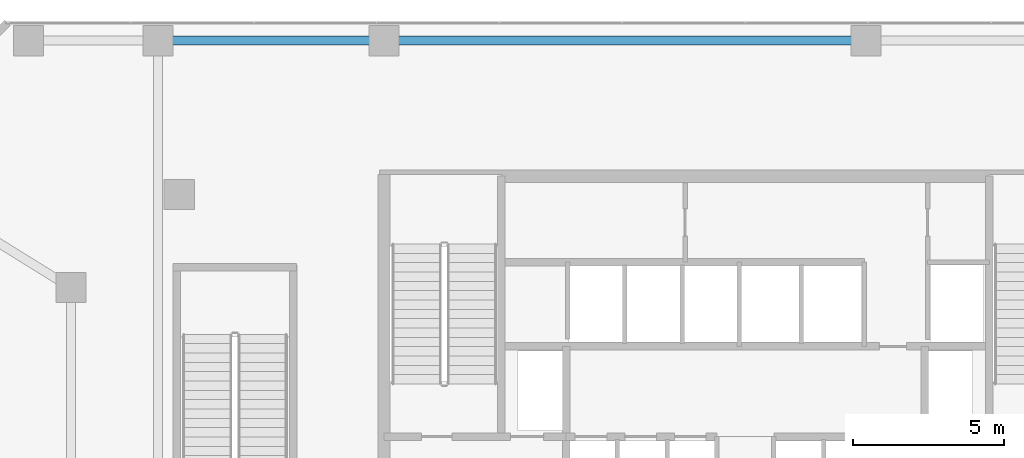
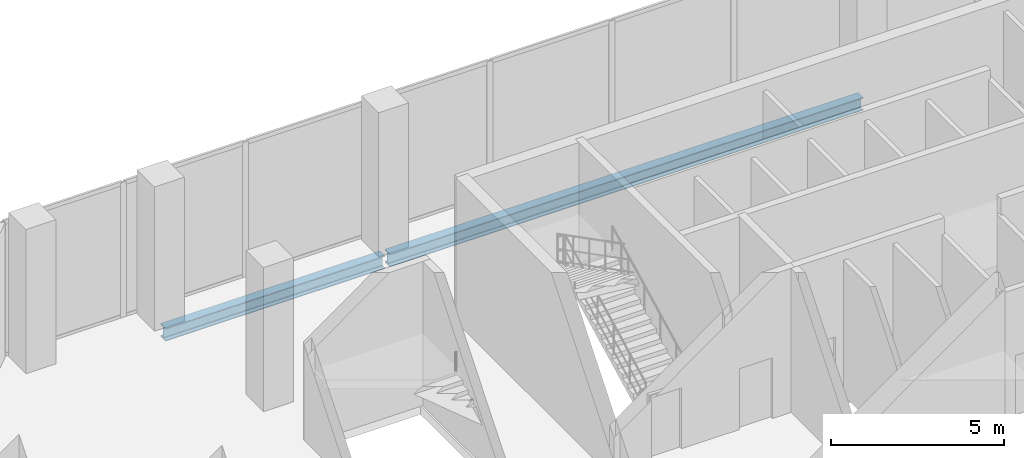
# One storey, part 13 of 24: 2 beams.
"""IFC4 building model written with IfcOpenShell, lengths in metres."""

import ifcopenshell
import ifcopenshell.guid

model = None  # the IFC model being written
_history = None  # IfcOwnerHistory: only IFC2X3 demands one
_inside = {}  # id of a spatial element -> (the spatial element, [elements in it])
_under = {}  # id of a project, library or spatial element -> (it, [spatial elements below it])
_declared = {}  # id of a project -> (the project, [libraries it declares])
_typed = {}  # id of a type object -> (the type object, [elements of that type])
_made_of = {}  # id of a material, layer set ... -> (it, [elements and type objects made of it])


def new_model(schema):
    """Start an empty IFC model of exactly this schema.

    Asked for "IFC4X3", IfcOpenShell would pick the latest addendum, in which some entities
    have other attributes; the version numbers below select the first issue.
    IFC2X3 requires an IfcOwnerHistory on every rooted entity: one is made here for all.
    """
    global model, _history
    if schema == "IFC4X3":
        model = ifcopenshell.file(schema_version=(4, 3, 0, 0))
    else:
        model = ifcopenshell.file(schema=schema)
    _inside.clear()
    _under.clear()
    _declared.clear()
    _typed.clear()
    _made_of.clear()
    _history = None
    if model.schema == "IFC2X3":
        org = make("IfcOrganization", Name="unknown")
        user = make(
            "IfcPersonAndOrganization",
            ThePerson=make("IfcPerson", FamilyName="unknown"),
            TheOrganization=org,
        )
        app = make(
            "IfcApplication",
            ApplicationDeveloper=org,
            Version="unknown",
            ApplicationFullName="unknown",
            ApplicationIdentifier="unknown",
        )
        _history = make(
            "IfcOwnerHistory",
            OwningUser=user,
            OwningApplication=app,
            ChangeAction="ADDED",
            CreationDate=0,
        )
    return model


def make(cls, **values):
    """One entity of the class cls with the attributes given. An attribute that is None is left unset."""
    return model.create_entity(
        cls, **{name: value for name, value in values.items() if value is not None}
    )


def rooted(cls, **values):
    """An entity with a GlobalId (a new one), such as an element, a storey or a relation."""
    return make(cls, GlobalId=ifcopenshell.guid.new(), OwnerHistory=_history, **values)


def si_unit(unit_type, name, prefix=None):
    """IfcSIUnit, for example si_unit("LENGTHUNIT", "METRE", prefix="MILLI")."""
    return make("IfcSIUnit", UnitType=unit_type, Prefix=prefix, Name=name)


def assignment(units):
    """IfcUnitAssignment: the units of a project."""
    return None if units is None else make("IfcUnitAssignment", Units=units)


def point(xyz):
    """IfcCartesianPoint."""
    return None if xyz is None else make("IfcCartesianPoint", Coordinates=xyz)


def direction(xyz):
    """IfcDirection."""
    return None if xyz is None else make("IfcDirection", DirectionRatios=xyz)


def frame(location, z_axis=None, x_axis=None):
    """IfcAxis2Placement3D, a coordinate frame: its origin and axes. An axis left out is left unset."""
    return make(
        "IfcAxis2Placement3D",
        Location=point(location),
        Axis=direction(z_axis),
        RefDirection=direction(x_axis),
    )


def frame_2d(location, x_axis=None):
    """IfcAxis2Placement2D, a coordinate frame in the plane: its origin and x axis."""
    return make(
        "IfcAxis2Placement2D", Location=point(location), RefDirection=direction(x_axis)
    )


def origin():
    """The frame at (0, 0, 0) with its axes left unset."""
    return frame((0.0, 0.0, 0.0))


def origin_2d():
    """The frame at (0, 0) in the plane with its x axis left unset."""
    return frame_2d((0.0, 0.0))


def place(relative_to, where):
    """IfcLocalPlacement: puts the frame where relative to a parent placement (None: the world)."""
    return make(
        "IfcLocalPlacement", PlacementRelTo=relative_to, RelativePlacement=where
    )


def context(
    kind, dimensions, precision=None, world=None, true_north=None, identifier=None
):
    """IfcGeometricRepresentationContext, for example the 3D "Model" context."""
    return make(
        "IfcGeometricRepresentationContext",
        ContextIdentifier=identifier,
        ContextType=kind,
        CoordinateSpaceDimension=dimensions,
        Precision=precision,
        WorldCoordinateSystem=world,
        TrueNorth=true_north,
    )


def subcontext(parent, identifier, kind, view, scale=None):
    """IfcGeometricRepresentationSubContext, for example "Body" below "Model"."""
    return make(
        "IfcGeometricRepresentationSubContext",
        ContextIdentifier=identifier,
        ContextType=kind,
        ParentContext=parent,
        TargetScale=scale,
        TargetView=view,
    )


def project(units=None, contexts=None):
    """IfcProject with its units and contexts."""
    return rooted(
        "IfcProject",
        Name="project",
        RepresentationContexts=contexts,
        UnitsInContext=assignment(units),
    )


def spatial(cls, under=None, at=None, **own):
    """A site, building, storey or space (cls), placed at a placement, below another one or the project."""
    s = rooted(cls, ObjectPlacement=at, **own)
    if under is not None:
        _under.setdefault(under.id(), (under, []))[1].append(s)
    return s


def profile(cls, at=None, kind="AREA", **sizes):
    """A parametric profile (cls). Its sizes go by their IFC names, for example OverallWidth=200.0."""
    return make(cls, ProfileType=kind, Position=at, **sizes)


def i_section(**sizes):
    """IfcIShapeProfileDef."""
    return profile("IfcIShapeProfileDef", **sizes)


def extrude(swept, where, along, depth):
    """IfcExtrudedAreaSolid: the profile swept, set in the frame where, extruded along a direction by depth."""
    return make(
        "IfcExtrudedAreaSolid",
        SweptArea=swept,
        Position=where,
        ExtrudedDirection=direction(along),
        Depth=depth,
    )


def shape(context_of_items, identifier, shape_type, items):
    """IfcShapeRepresentation: the items that make up one representation, for example the "Body"."""
    return make(
        "IfcShapeRepresentation",
        ContextOfItems=context_of_items,
        RepresentationIdentifier=identifier,
        RepresentationType=shape_type,
        Items=items,
    )


def material(Name=None, Category=None):
    """IfcMaterial."""
    return make("IfcMaterial", Name=Name, Category=Category)


def material_profile(
    of_material, cross_section, Name=None, Category=None, Priority=None
):
    """IfcMaterialProfile: a cross section and its material."""
    return make(
        "IfcMaterialProfile",
        Name=Name,
        Material=of_material,
        Profile=cross_section,
        Priority=Priority,
        Category=Category,
    )


def profile_set(profiles, Name=None, composite=None):
    """IfcMaterialProfileSet."""
    return make(
        "IfcMaterialProfileSet",
        Name=Name,
        MaterialProfiles=profiles,
        CompositeProfile=composite,
    )


def made_of(thing, what):
    """Note that an element or type object is made of a material, layer set ...; save() writes the relation."""
    if what is not None:
        _made_of.setdefault(what.id(), (what, []))[1].append(thing)
    return thing


def type_object(cls, material=None, **own):
    """A type object (cls), such as IfcWallType, which elements share."""
    return made_of(rooted(cls, **own), material)


def element(
    cls,
    number,
    at=None,
    inside=None,
    cuts=None,
    type_object=None,
    material=None,
    context=None,
    identifier="Body",
    shape_type=None,
    held_by="IfcProductDefinitionShape",
    body=None,
    shapes=None,
    **own,
):
    """One element of the class cls, such as IfcWall. Its Tag is "e" and its number.

    at: its placement. inside: the storey or other place that contains it. cuts: it is an
    opening in that element (IfcRelVoidsElement). A single representation is given by context,
    identifier, shape_type and body (its items); several are given by shapes. held_by: the class
    of the entity that holds the representations. save() writes the other relations.
    """
    e = rooted(cls, Tag="e%d" % number, ObjectPlacement=at, **own)
    if body is not None:
        shapes = [shape(context, identifier, shape_type, body)]
    if shapes is not None:
        e.Representation = make(held_by, Representations=shapes)
    if inside is not None:
        _inside.setdefault(inside.id(), (inside, []))[1].append(e)
    if cuts is not None:
        rooted(
            "IfcRelVoidsElement", RelatingBuildingElement=cuts, RelatedOpeningElement=e
        )
    if type_object is not None:
        _typed.setdefault(type_object.id(), (type_object, []))[1].append(e)
    return made_of(e, material)


def aggregate(whole, parts):
    """IfcRelAggregates: a whole, such as a stair, and the parts it consists of."""
    return rooted("IfcRelAggregates", RelatingObject=whole, RelatedObjects=parts)


def save(model, path):
    """Write the relations noted so far, then the file.

    IfcRelAggregates (storeys below a building ...), IfcRelContainedInSpatialStructure (elements
    in a storey), IfcRelDefinesByType, IfcRelAssociatesMaterial and IfcRelDeclares: one each for
    every whole, place, type object, material and project.
    """
    for whole, parts in _under.values():
        aggregate(whole, parts)
    for where, things in _inside.values():
        rooted(
            "IfcRelContainedInSpatialStructure",
            RelatedElements=things,
            RelatingStructure=where,
        )
    for kind, things in _typed.values():
        rooted("IfcRelDefinesByType", RelatedObjects=things, RelatingType=kind)
    for what, things in _made_of.values():
        rooted("IfcRelAssociatesMaterial", RelatedObjects=things, RelatingMaterial=what)
    for by, libraries in _declared.values():
        rooted("IfcRelDeclares", RelatingContext=by, RelatedDefinitions=libraries)
    model.write(path)


model = new_model("IFC4")

# Units and contexts
model_context = context("Model", 3, precision=1e-05, world=origin(), true_north=direction((0.0, 1.0)))
body_context = subcontext(model_context, "Body", "Model", "MODEL_VIEW")
ifc_project = project(units=[si_unit("LENGTHUNIT", "METRE"), si_unit("AREAUNIT", "SQUARE_METRE"), si_unit("VOLUMEUNIT", "CUBIC_METRE"), si_unit("PLANEANGLEUNIT", "RADIAN"), si_unit("MASSUNIT", "GRAM", prefix="KILO")], contexts=[model_context])

# Site, building, storey
site_placement = place(None, origin())
site = spatial("IfcSite", under=ifc_project, at=site_placement, CompositionType="ELEMENT")
building_placement = place(site_placement, origin())
building = spatial("IfcBuilding", under=site, at=building_placement, Name="Catumbela Crestline Tower", CompositionType="ELEMENT")
storey_placement = place(building_placement, frame((0.0, 0.0, 6.0)))
storey = spatial("IfcBuildingStorey", under=building, at=storey_placement, Name="L01", CompositionType="ELEMENT", Elevation=6.0)

# Beams
ifc_material = material(Name="Structural steel S355J2", Category="steel")
ifc_material_profile = material_profile(ifc_material, i_section(OverallWidth=0.3, OverallDepth=0.45, WebThickness=0.014, FlangeThickness=0.026, FilletRadius=0.027, at=origin_2d()), Name="HEB 450")
ifc_profile_set = profile_set([ifc_material_profile], Name="Structural steel S355J2")
beam_type = type_object("IfcBeamType", Name="BS-HEB450", PredefinedType="SPANDREL", material=ifc_profile_set)
beam_1_placement = place(storey_placement, frame((8.58, 47.4, -0.545), z_axis=(1.0, 0.0, 0.0), x_axis=(0.0, 1.0, 0.0)))
element("IfcBeam", 1, at=beam_1_placement, inside=storey, type_object=beam_type, Name="L01 Spandrel SP-L01-NF18", PredefinedType="SPANDREL", context=body_context, shape_type="SweptSolid", body=[
    extrude(i_section(OverallWidth=0.3, OverallDepth=0.45, WebThickness=0.014, FlangeThickness=0.026, FilletRadius=0.027, at=origin_2d()), origin(), (0.0, 0.0, 1.0), 7.34),
])
beam_2_placement = place(storey_placement, frame((16.08, 47.4, -0.545), z_axis=(1.0, 0.0, 0.0), x_axis=(0.0, 1.0, 0.0)))
element("IfcBeam", 2, at=beam_2_placement, inside=storey, type_object=beam_type, Name="L01 Spandrel SP-L01-NF19", PredefinedType="SPANDREL", context=body_context, shape_type="SweptSolid", body=[
    extrude(i_section(OverallWidth=0.3, OverallDepth=0.45, WebThickness=0.014, FlangeThickness=0.026, FilletRadius=0.027, at=origin_2d()), origin(), (0.0, 0.0, 1.0), 15.84),
])

save(model, "model.ifc")
